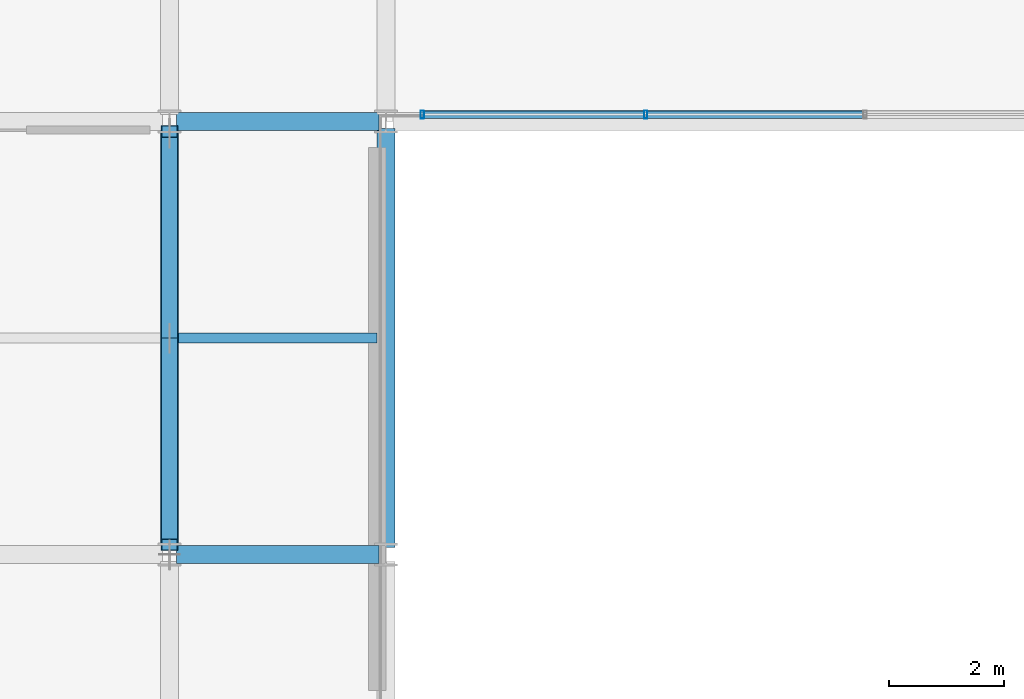
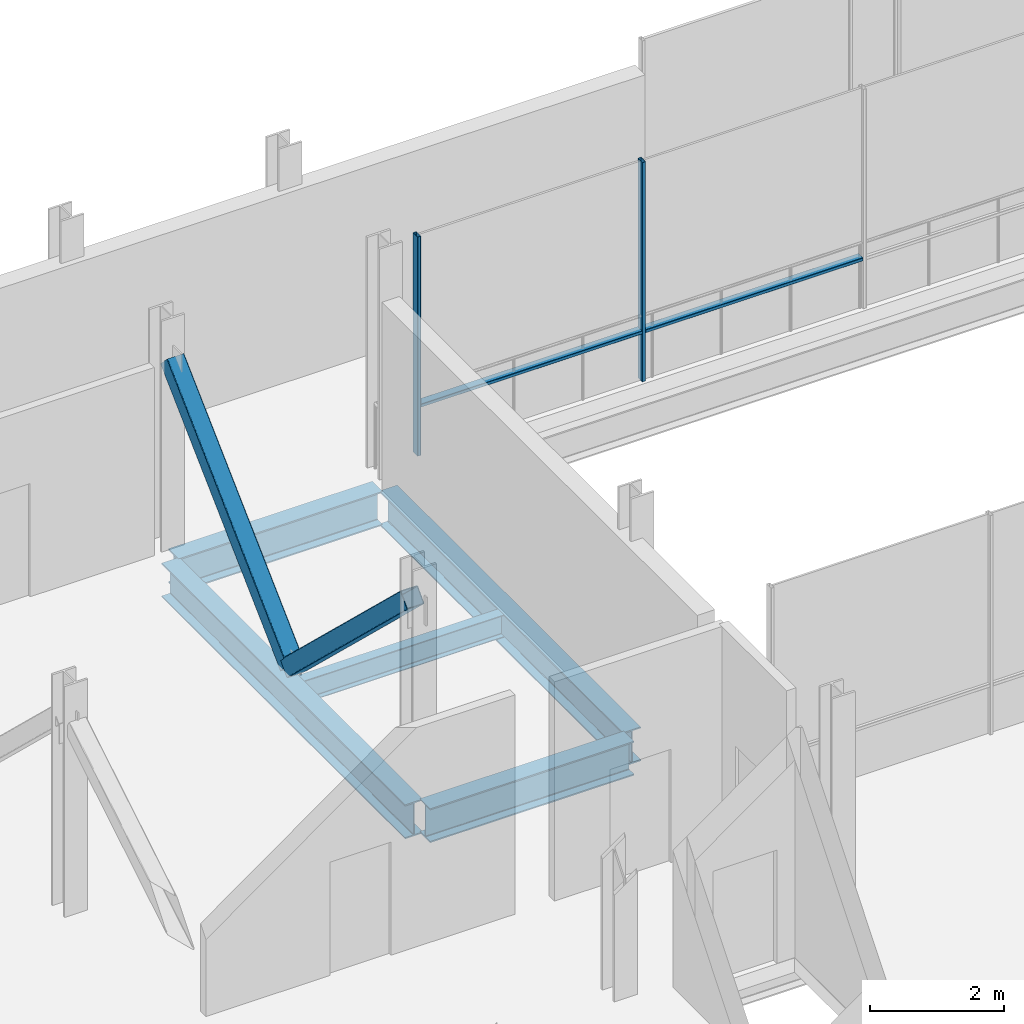
# One storey, part 9 of 33: 6 members, 5 beams, 1 element without a shape of its own.
"""IFC4 building model written with IfcOpenShell, lengths in metres."""

from ifc_helpers import new_model, si_unit, direction, frame, origin, origin_2d, place, context, subcontext, project, spatial, hollow_rectangle, i_section, extrude, material, layer, layer_set, material_profile, profile_set, type_object, element, aggregate, save


model = new_model("IFC4")

# Units and contexts
model_context = context("Model", 3, precision=1e-05, world=origin(), true_north=direction((0.0, 1.0)))
body_context = subcontext(model_context, "Body", "Model", "MODEL_VIEW")
ifc_project = project(units=[si_unit("LENGTHUNIT", "METRE"), si_unit("AREAUNIT", "SQUARE_METRE"), si_unit("VOLUMEUNIT", "CUBIC_METRE"), si_unit("PLANEANGLEUNIT", "RADIAN"), si_unit("MASSUNIT", "GRAM", prefix="KILO")], contexts=[model_context])

# Site, building, storey
site_placement = place(None, origin())
site = spatial("IfcSite", under=ifc_project, at=site_placement, CompositionType="ELEMENT")
building_placement = place(site_placement, origin())
building = spatial("IfcBuilding", under=site, at=building_placement, Name="Brevholm Reach", CompositionType="ELEMENT")
storey_placement = place(building_placement, frame((0.0, 0.0, 179.0)))
storey = spatial("IfcBuildingStorey", under=building, at=storey_placement, Name="L54", CompositionType="ELEMENT", Elevation=179.0)

# Beams
ifc_material_1 = material(Name="Structural Steel S355J2", Category="steel")
ifc_material_profile_1 = material_profile(ifc_material_1, i_section(OverallWidth=0.177978515625, OverallDepth=0.406494140625, WebThickness=0.0078125, FlangeThickness=0.0126953125, FilletRadius=0.01025390625, at=origin_2d()), Name="UKB 406x178x60")
ifc_profile_set_1 = profile_set([ifc_material_profile_1], Name="Structural Steel S355J2")
beam_type_1 = type_object("IfcBeamType", Name="BM-B406", PredefinedType="BEAM", material=ifc_profile_set_1)
beam_placement = place(storey_placement, frame((18.153564453125, 19.75, -0.463134765625), z_axis=(1.0, 0.0, 0.0), x_axis=(0.0, 1.0, 0.0)))
element("IfcBeam", 1, at=beam_placement, inside=storey, type_object=beam_type_1, Name="L54 Composite Secondary Floor Beam", PredefinedType="BEAM", context=body_context, shape_type="SweptSolid", body=[
    extrude(i_section(OverallWidth=0.177978515625, OverallDepth=0.406494140625, WebThickness=0.0078125, FlangeThickness=0.0126953125, FilletRadius=0.01025390625, at=origin_2d()), origin(), (0.0, 0.0, 1.0), 3.44287109375),
])
ifc_material_2 = material(Name="Structural Steel S355J2", Category="steel")
ifc_material_profile_2 = material_profile(ifc_material_2, i_section(OverallWidth=0.30712890625, OverallDepth=0.6201171875, WebThickness=0.01416015625, FlangeThickness=0.023681640625, FilletRadius=0.0166015625, at=origin_2d()), Name="UKB 610x305x179")
ifc_profile_set_2 = profile_set([ifc_material_profile_2], Name="Structural Steel S355J2")
beam_type_2 = type_object("IfcBeamType", Name="BM-UKB610H", PredefinedType="USERDEFINED", material=ifc_profile_set_2)
for number, where, z_axis, x_axis, name in (
    (2, (18.1201171875, 16.0, -0.570068359375), (1.0, 0.0, 0.0), (0.0, 1.0, 0.0), "L54 G-06 Framing Beam"),
    (3, (18.1201171875, 23.5, -0.570068359375), (1.0, 0.0, 0.0), (0.0, 1.0, 0.0), "L54 G-06 Framing Beam"),
):
    element("IfcBeam", number, at=place(storey_placement, frame(where, z_axis=z_axis, x_axis=x_axis)), inside=storey, type_object=beam_type_2, Name=name, ObjectType="GIRDER", PredefinedType="USERDEFINED", context=body_context, shape_type="SweptSolid", body=[
        extrude(i_section(OverallWidth=0.30712890625, OverallDepth=0.6201171875, WebThickness=0.01416015625, FlangeThickness=0.023681640625, FilletRadius=0.0166015625, at=origin_2d()), origin(), (0.0, 0.0, 1.0), 3.509765625),
    ])
for number, where, z_axis, x_axis, name in (
    (4, (18.0, 16.1201171875, -0.570068359375), (0.0, 1.0, 0.0), (-1.0, 0.0, 0.0), "L54 G-06 Framing Beam"),
    (5, (21.75, 16.1201171875, -0.570068359375), (0.0, 1.0, 0.0), (-1.0, 0.0, 0.0), "L54 G-06 Framing Beam"),
):
    element("IfcBeam", number, at=place(storey_placement, frame(where, z_axis=z_axis, x_axis=x_axis)), inside=storey, type_object=beam_type_2, Name=name, ObjectType="GIRDER", PredefinedType="USERDEFINED", context=body_context, shape_type="SweptSolid", body=[
        extrude(i_section(OverallWidth=0.30712890625, OverallDepth=0.6201171875, WebThickness=0.01416015625, FlangeThickness=0.023681640625, FilletRadius=0.0166015625, at=origin_2d()), origin(), (0.0, 0.0, 1.0), 7.259765625),
    ])

# Curtain wall, members
ifc_material_3 = material(Name="Dark Anodised Aluminium 6063-T6 and Solar-Control Glass", Category="aluminium")
ifc_layer = layer(ifc_material_3, 0.139892578125)
ifc_layer_set = layer_set([ifc_layer], Name="Dark Anodised Aluminium 6063-T6 and Solar-Control Glass")
curtain_wall_type = type_object("IfcCurtainWallType", Name="CW-02", PredefinedType="NOTDEFINED", material=ifc_layer_set)
curtain_wall_placement = place(storey_placement, origin())
curtain_wall = element("IfcCurtainWall", 6, at=curtain_wall_placement, inside=storey, type_object=curtain_wall_type, Name="L54 Curtain Wall CW-02", PredefinedType="NOTDEFINED")
ifc_material_4 = material(Name="Dark Anodised Aluminium 6063-T6", Category="aluminium")
ifc_material_profile_3 = material_profile(ifc_material_4, hollow_rectangle(XDim=0.06005859375, YDim=0.139892578125, WallThickness=0.0048828125, InnerFilletRadius=0.0048828125, OuterFilletRadius=0.010009765625, at=origin_2d()), Name="RHS 140x60x5")
ifc_profile_set_3 = profile_set([ifc_material_profile_3], Name="Dark Anodised Aluminium 6063-T6")
member_type_1 = type_object("IfcMemberType", Name="CWM-140", PredefinedType="MULLION", material=ifc_profile_set_3)
member_1_placement = place(storey_placement, frame((26.25, 23.6201171875, 0.0), z_axis=(0.0, 0.0, 1.0), x_axis=(-1.0, 0.0, 0.0)))
member_1 = element("IfcMember", 7, at=member_1_placement, type_object=member_type_1, Name="CM-140 Mullion 4", PredefinedType="MULLION", context=body_context, shape_type="SweptSolid", body=[
    extrude(hollow_rectangle(XDim=0.06005859375, YDim=0.139892578125, WallThickness=0.0048828125, InnerFilletRadius=0.0048828125, OuterFilletRadius=0.010009765625, at=origin_2d()), origin(), (0.0, 0.0, 1.0), 3.989990234375),
])
member_2_placement = place(storey_placement, frame((22.3798828125, 23.6201171875, 0.0), z_axis=(0.0, 0.0, 1.0), x_axis=(-1.0, 0.0, 0.0)))
member_2 = element("IfcMember", 8, at=member_2_placement, type_object=member_type_1, Name="CM-140 Mullion 5", PredefinedType="MULLION", context=body_context, shape_type="SweptSolid", body=[
    extrude(hollow_rectangle(XDim=0.06005859375, YDim=0.139892578125, WallThickness=0.0048828125, InnerFilletRadius=0.0048828125, OuterFilletRadius=0.010009765625, at=origin_2d()), origin(), (0.0, 0.0, 1.0), 3.989990234375),
])
ifc_material_5 = material(Name="Dark Anodised Aluminium 6063-T6", Category="aluminium")
ifc_material_profile_4 = material_profile(ifc_material_5, hollow_rectangle(XDim=0.06005859375, YDim=0.139892578125, WallThickness=0.0048828125, InnerFilletRadius=0.0048828125, OuterFilletRadius=0.010009765625, at=origin_2d()), Name="RHS 140x60x5")
ifc_profile_set_4 = profile_set([ifc_material_profile_4], Name="Dark Anodised Aluminium 6063-T6")
member_type_2 = type_object("IfcMemberType", Name="CWT-140", PredefinedType="NOTDEFINED", material=ifc_profile_set_4)
member_3_placement = place(storey_placement, frame((30.02001953125, 23.6201171875, 0.89990234375), z_axis=(-1.0, 0.0, 0.0), x_axis=(0.0, 0.0, 1.0)))
member_3 = element("IfcMember", 9, at=member_3_placement, type_object=member_type_2, Name="CT-140 Transom 3.1", ObjectType="TRANSOM", PredefinedType="USERDEFINED", context=body_context, shape_type="SweptSolid", body=[
    extrude(hollow_rectangle(XDim=0.06005859375, YDim=0.139892578125, WallThickness=0.0048828125, InnerFilletRadius=0.0048828125, OuterFilletRadius=0.010009765625, at=origin_2d()), origin(), (0.0, 0.0, 1.0), 3.739990234375),
])
member_4_placement = place(storey_placement, frame((26.219970703125, 23.6201171875, 0.89990234375), z_axis=(-1.0, 0.0, 0.0), x_axis=(0.0, 0.0, 1.0)))
member_4 = element("IfcMember", 10, at=member_4_placement, type_object=member_type_2, Name="CT-140 Transom 4.1", ObjectType="TRANSOM", PredefinedType="USERDEFINED", context=body_context, shape_type="SweptSolid", body=[
    extrude(hollow_rectangle(XDim=0.06005859375, YDim=0.139892578125, WallThickness=0.0048828125, InnerFilletRadius=0.0048828125, OuterFilletRadius=0.010009765625, at=origin_2d()), origin(), (0.0, 0.0, 1.0), 3.81005859375),
])
aggregate(curtain_wall, [member_1, member_2, member_3, member_4])

# Members
ifc_material_6 = material(Name="Structural Steel S460NH", Category="steel")
ifc_material_profile_5 = material_profile(ifc_material_6, hollow_rectangle(XDim=0.300048828125, YDim=0.300048828125, WallThickness=0.012451171875, InnerFilletRadius=0.011962890625, OuterFilletRadius=0.02392578125, at=origin_2d()), Name="SHS 300x300x12.5")
ifc_profile_set_5 = profile_set([ifc_material_profile_5], Name="Structural Steel S460NH")
member_type_3 = type_object("IfcMemberType", Name="MEM-OB-SHS300", PredefinedType="BRACE", material=ifc_profile_set_5)
for number, where, z_axis, x_axis, name in (
    (11, (18.0, 16.169921875, 3.435546875), (0.0, 0.723539227798, -0.690283264927), (-1.0, 0.0, 0.0), "L54 Outrigger Truss Diagonal X18.1"),
    (12, (18.0, 19.75, 0.02001953125), (0.0, 0.723539227798, 0.690283264927), (-1.0, 0.0, 0.0), "L54 Outrigger Truss Diagonal X18.2"),
):
    element("IfcMember", number, at=place(storey_placement, frame(where, z_axis=z_axis, x_axis=x_axis)), inside=storey, type_object=member_type_3, Name=name, PredefinedType="BRACE", context=body_context, shape_type="SweptSolid", body=[
        extrude(hollow_rectangle(XDim=0.300048828125, YDim=0.300048828125, WallThickness=0.012451171875, InnerFilletRadius=0.011962890625, OuterFilletRadius=0.02392578125, at=origin_2d()), origin(), (0.0, 0.0, 1.0), 4.947998046875),
    ])

save(model, "model.ifc")
